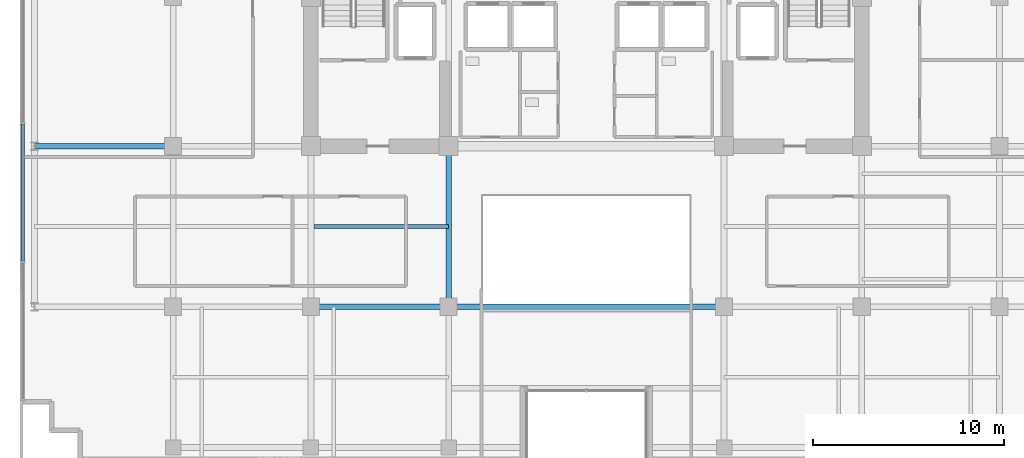
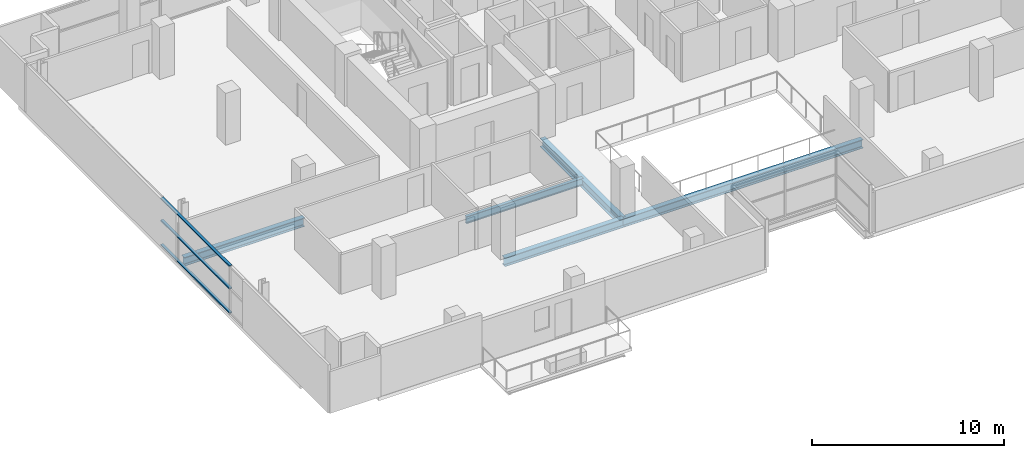
# One storey, part 7 of 25: 5 beams, 3 members, 1 element without a shape of its own.
"""IFC4 building model written with IfcOpenShell, lengths in metres."""

import ifcopenshell
import ifcopenshell.guid

model = None  # the IFC model being written
_history = None  # IfcOwnerHistory: only IFC2X3 demands one
_inside = {}  # id of a spatial element -> (the spatial element, [elements in it])
_under = {}  # id of a project, library or spatial element -> (it, [spatial elements below it])
_declared = {}  # id of a project -> (the project, [libraries it declares])
_typed = {}  # id of a type object -> (the type object, [elements of that type])
_made_of = {}  # id of a material, layer set ... -> (it, [elements and type objects made of it])


def new_model(schema):
    """Start an empty IFC model of exactly this schema.

    Asked for "IFC4X3", IfcOpenShell would pick the latest addendum, in which some entities
    have other attributes; the version numbers below select the first issue.
    IFC2X3 requires an IfcOwnerHistory on every rooted entity: one is made here for all.
    """
    global model, _history
    if schema == "IFC4X3":
        model = ifcopenshell.file(schema_version=(4, 3, 0, 0))
    else:
        model = ifcopenshell.file(schema=schema)
    _inside.clear()
    _under.clear()
    _declared.clear()
    _typed.clear()
    _made_of.clear()
    _history = None
    if model.schema == "IFC2X3":
        org = make("IfcOrganization", Name="unknown")
        user = make(
            "IfcPersonAndOrganization",
            ThePerson=make("IfcPerson", FamilyName="unknown"),
            TheOrganization=org,
        )
        app = make(
            "IfcApplication",
            ApplicationDeveloper=org,
            Version="unknown",
            ApplicationFullName="unknown",
            ApplicationIdentifier="unknown",
        )
        _history = make(
            "IfcOwnerHistory",
            OwningUser=user,
            OwningApplication=app,
            ChangeAction="ADDED",
            CreationDate=0,
        )
    return model


def make(cls, **values):
    """One entity of the class cls with the attributes given. An attribute that is None is left unset."""
    return model.create_entity(
        cls, **{name: value for name, value in values.items() if value is not None}
    )


def rooted(cls, **values):
    """An entity with a GlobalId (a new one), such as an element, a storey or a relation."""
    return make(cls, GlobalId=ifcopenshell.guid.new(), OwnerHistory=_history, **values)


def si_unit(unit_type, name, prefix=None):
    """IfcSIUnit, for example si_unit("LENGTHUNIT", "METRE", prefix="MILLI")."""
    return make("IfcSIUnit", UnitType=unit_type, Prefix=prefix, Name=name)


def assignment(units):
    """IfcUnitAssignment: the units of a project."""
    return None if units is None else make("IfcUnitAssignment", Units=units)


def point(xyz):
    """IfcCartesianPoint."""
    return None if xyz is None else make("IfcCartesianPoint", Coordinates=xyz)


def direction(xyz):
    """IfcDirection."""
    return None if xyz is None else make("IfcDirection", DirectionRatios=xyz)


def frame(location, z_axis=None, x_axis=None):
    """IfcAxis2Placement3D, a coordinate frame: its origin and axes. An axis left out is left unset."""
    return make(
        "IfcAxis2Placement3D",
        Location=point(location),
        Axis=direction(z_axis),
        RefDirection=direction(x_axis),
    )


def frame_2d(location, x_axis=None):
    """IfcAxis2Placement2D, a coordinate frame in the plane: its origin and x axis."""
    return make(
        "IfcAxis2Placement2D", Location=point(location), RefDirection=direction(x_axis)
    )


def origin():
    """The frame at (0, 0, 0) with its axes left unset."""
    return frame((0.0, 0.0, 0.0))


def origin_2d():
    """The frame at (0, 0) in the plane with its x axis left unset."""
    return frame_2d((0.0, 0.0))


def place(relative_to, where):
    """IfcLocalPlacement: puts the frame where relative to a parent placement (None: the world)."""
    return make(
        "IfcLocalPlacement", PlacementRelTo=relative_to, RelativePlacement=where
    )


def context(
    kind, dimensions, precision=None, world=None, true_north=None, identifier=None
):
    """IfcGeometricRepresentationContext, for example the 3D "Model" context."""
    return make(
        "IfcGeometricRepresentationContext",
        ContextIdentifier=identifier,
        ContextType=kind,
        CoordinateSpaceDimension=dimensions,
        Precision=precision,
        WorldCoordinateSystem=world,
        TrueNorth=true_north,
    )


def subcontext(parent, identifier, kind, view, scale=None):
    """IfcGeometricRepresentationSubContext, for example "Body" below "Model"."""
    return make(
        "IfcGeometricRepresentationSubContext",
        ContextIdentifier=identifier,
        ContextType=kind,
        ParentContext=parent,
        TargetScale=scale,
        TargetView=view,
    )


def project(units=None, contexts=None):
    """IfcProject with its units and contexts."""
    return rooted(
        "IfcProject",
        Name="project",
        RepresentationContexts=contexts,
        UnitsInContext=assignment(units),
    )


def spatial(cls, under=None, at=None, **own):
    """A site, building, storey or space (cls), placed at a placement, below another one or the project."""
    s = rooted(cls, ObjectPlacement=at, **own)
    if under is not None:
        _under.setdefault(under.id(), (under, []))[1].append(s)
    return s


def profile(cls, at=None, kind="AREA", **sizes):
    """A parametric profile (cls). Its sizes go by their IFC names, for example OverallWidth=200.0."""
    return make(cls, ProfileType=kind, Position=at, **sizes)


def hollow_rectangle(**sizes):
    """IfcRectangleHollowProfileDef."""
    return profile("IfcRectangleHollowProfileDef", **sizes)


def i_section(**sizes):
    """IfcIShapeProfileDef."""
    return profile("IfcIShapeProfileDef", **sizes)


def extrude(swept, where, along, depth):
    """IfcExtrudedAreaSolid: the profile swept, set in the frame where, extruded along a direction by depth."""
    return make(
        "IfcExtrudedAreaSolid",
        SweptArea=swept,
        Position=where,
        ExtrudedDirection=direction(along),
        Depth=depth,
    )


def shape(context_of_items, identifier, shape_type, items):
    """IfcShapeRepresentation: the items that make up one representation, for example the "Body"."""
    return make(
        "IfcShapeRepresentation",
        ContextOfItems=context_of_items,
        RepresentationIdentifier=identifier,
        RepresentationType=shape_type,
        Items=items,
    )


def source(mapping_origin, context_of_items, identifier, shape_type, items):
    """IfcRepresentationMap: a shape defined once, which mapped items show again and again."""
    return make(
        "IfcRepresentationMap",
        MappingOrigin=mapping_origin,
        MappedRepresentation=shape(context_of_items, identifier, shape_type, items),
    )


def transform(
    local_origin,
    x_axis=None,
    y_axis=None,
    z_axis=None,
    scale=None,
    scale2=None,
    scale3=None,
    uniform=True,
):
    """IfcCartesianTransformationOperator3D, or its non-uniform kind. x_axis, y_axis, z_axis: its Axis1, 2, 3."""
    if uniform:
        return make(
            "IfcCartesianTransformationOperator3D",
            Axis1=direction(x_axis),
            Axis2=direction(y_axis),
            LocalOrigin=point(local_origin),
            Scale=scale,
            Axis3=direction(z_axis),
        )
    return make(
        "IfcCartesianTransformationOperator3DnonUniform",
        Axis1=direction(x_axis),
        Axis2=direction(y_axis),
        LocalOrigin=point(local_origin),
        Scale=scale,
        Axis3=direction(z_axis),
        Scale2=scale2,
        Scale3=scale3,
    )


def mapped(mapping_source, mapping_target):
    """IfcMappedItem: shows the shape of a source again, moved by a transform."""
    return make(
        "IfcMappedItem", MappingSource=mapping_source, MappingTarget=mapping_target
    )


def material(Name=None, Category=None):
    """IfcMaterial."""
    return make("IfcMaterial", Name=Name, Category=Category)


def layer(
    of_material, thickness, ventilated=None, Name=None, Category=None, Priority=None
):
    """IfcMaterialLayer: one layer of a wall or slab, of a material (None: an air gap)."""
    return make(
        "IfcMaterialLayer",
        Material=of_material,
        LayerThickness=thickness,
        IsVentilated=ventilated,
        Name=Name,
        Category=Category,
        Priority=Priority,
    )


def layer_set(layers, Name=None):
    """IfcMaterialLayerSet."""
    return make("IfcMaterialLayerSet", MaterialLayers=layers, LayerSetName=Name)


def material_profile(
    of_material, cross_section, Name=None, Category=None, Priority=None
):
    """IfcMaterialProfile: a cross section and its material."""
    return make(
        "IfcMaterialProfile",
        Name=Name,
        Material=of_material,
        Profile=cross_section,
        Priority=Priority,
        Category=Category,
    )


def profile_set(profiles, Name=None, composite=None):
    """IfcMaterialProfileSet."""
    return make(
        "IfcMaterialProfileSet",
        Name=Name,
        MaterialProfiles=profiles,
        CompositeProfile=composite,
    )


def made_of(thing, what):
    """Note that an element or type object is made of a material, layer set ...; save() writes the relation."""
    if what is not None:
        _made_of.setdefault(what.id(), (what, []))[1].append(thing)
    return thing


def type_object(cls, material=None, **own):
    """A type object (cls), such as IfcWallType, which elements share."""
    return made_of(rooted(cls, **own), material)


def element(
    cls,
    number,
    at=None,
    inside=None,
    cuts=None,
    type_object=None,
    material=None,
    context=None,
    identifier="Body",
    shape_type=None,
    held_by="IfcProductDefinitionShape",
    body=None,
    shapes=None,
    **own,
):
    """One element of the class cls, such as IfcWall. Its Tag is "e" and its number.

    at: its placement. inside: the storey or other place that contains it. cuts: it is an
    opening in that element (IfcRelVoidsElement). A single representation is given by context,
    identifier, shape_type and body (its items); several are given by shapes. held_by: the class
    of the entity that holds the representations. save() writes the other relations.
    """
    e = rooted(cls, Tag="e%d" % number, ObjectPlacement=at, **own)
    if body is not None:
        shapes = [shape(context, identifier, shape_type, body)]
    if shapes is not None:
        e.Representation = make(held_by, Representations=shapes)
    if inside is not None:
        _inside.setdefault(inside.id(), (inside, []))[1].append(e)
    if cuts is not None:
        rooted(
            "IfcRelVoidsElement", RelatingBuildingElement=cuts, RelatedOpeningElement=e
        )
    if type_object is not None:
        _typed.setdefault(type_object.id(), (type_object, []))[1].append(e)
    return made_of(e, material)


def aggregate(whole, parts):
    """IfcRelAggregates: a whole, such as a stair, and the parts it consists of."""
    return rooted("IfcRelAggregates", RelatingObject=whole, RelatedObjects=parts)


def save(model, path):
    """Write the relations noted so far, then the file.

    IfcRelAggregates (storeys below a building ...), IfcRelContainedInSpatialStructure (elements
    in a storey), IfcRelDefinesByType, IfcRelAssociatesMaterial and IfcRelDeclares: one each for
    every whole, place, type object, material and project.
    """
    for whole, parts in _under.values():
        aggregate(whole, parts)
    for where, things in _inside.values():
        rooted(
            "IfcRelContainedInSpatialStructure",
            RelatedElements=things,
            RelatingStructure=where,
        )
    for kind, things in _typed.values():
        rooted("IfcRelDefinesByType", RelatedObjects=things, RelatingType=kind)
    for what, things in _made_of.values():
        rooted("IfcRelAssociatesMaterial", RelatedObjects=things, RelatingMaterial=what)
    for by, libraries in _declared.values():
        rooted("IfcRelDeclares", RelatingContext=by, RelatedDefinitions=libraries)
    model.write(path)


model = new_model("IFC4")

# Units and contexts
model_context = context("Model", 3, precision=1e-05, world=origin(), true_north=direction((0.0, 1.0)))
body_context = subcontext(model_context, "Body", "Model", "MODEL_VIEW")
ifc_project = project(units=[si_unit("LENGTHUNIT", "METRE"), si_unit("AREAUNIT", "SQUARE_METRE"), si_unit("VOLUMEUNIT", "CUBIC_METRE"), si_unit("PLANEANGLEUNIT", "RADIAN"), si_unit("MASSUNIT", "GRAM", prefix="KILO")], contexts=[model_context])

# Site, building, storey
site_placement = place(None, origin())
site = spatial("IfcSite", under=ifc_project, at=site_placement, CompositionType="ELEMENT")
building_placement = place(site_placement, origin())
building = spatial("IfcBuilding", under=site, at=building_placement, Name="Zarnakvel Exchange Tower", CompositionType="ELEMENT")
storey_placement = place(building_placement, frame((0.0, 0.0, 93.39990234375)))
storey = spatial("IfcBuildingStorey", under=building, at=storey_placement, Name="L25", CompositionType="ELEMENT", Elevation=93.39990234375)

# Beams
ifc_material_1 = material(Name="Steel S355", Category="steel")
ifc_material_profile_1 = material_profile(ifc_material_1, i_section(OverallWidth=0.18994140625, OverallDepth=0.449951171875, WebThickness=0.009521484375, FlangeThickness=0.0146484375, FilletRadius=0.02099609375, at=origin_2d()))
ifc_profile_set_1 = profile_set([ifc_material_profile_1], Name="Steel S355")
beam_type_1 = type_object("IfcBeamType", Name="B-05", PredefinedType="JOIST", material=ifc_profile_set_1)
beam_1_placement = place(storey_placement, frame((-14.25, -5.39990234375, -0.449951171875), z_axis=(1.0, 0.0, 0.0), x_axis=(0.0, 1.0, 0.0)))
element("IfcBeam", 1, at=beam_1_placement, inside=storey, type_object=beam_type_1, Name="L25 Composite Floor Secondary Joist", PredefinedType="JOIST", context=body_context, shape_type="SweptSolid", body=[
    extrude(i_section(OverallWidth=0.18994140625, OverallDepth=0.449951171875, WebThickness=0.009521484375, FlangeThickness=0.0146484375, FilletRadius=0.02099609375, at=origin_2d()), origin(), (0.0, 0.0, 1.0), 7.050048828125),
])
ifc_material_profile_2 = material_profile(ifc_material_1, i_section(OverallWidth=0.300048828125, OverallDepth=0.550048828125, WebThickness=0.014892578125, FlangeThickness=0.029052734375, FilletRadius=0.027099609375, at=origin_2d()))
ifc_profile_set_2 = profile_set([ifc_material_profile_2], Name="Steel S355")
beam_type_2 = type_object("IfcBeamType", Name="G-05", PredefinedType="BEAM", material=ifc_profile_set_2)
beam_2_placement = place(storey_placement, frame((-14.39990234375, -9.60009765625, -0.5), z_axis=(1.0, 0.0, 0.0), x_axis=(0.0, 1.0, 0.0)))
element("IfcBeam", 2, at=beam_2_placement, inside=storey, type_object=beam_type_2, Name="L25 Tower E-W Frame Beam", PredefinedType="BEAM", context=body_context, shape_type="SweptSolid", body=[
    extrude(i_section(OverallWidth=0.300048828125, OverallDepth=0.550048828125, WebThickness=0.014892578125, FlangeThickness=0.029052734375, FilletRadius=0.027099609375, at=origin_2d()), origin(), (0.0, 0.0, 1.0), 7.199951171875),
])
beam_3_placement = place(storey_placement, frame((-7.199951171875, -9.60009765625, -0.5), z_axis=(1.0, 0.0, 0.0), x_axis=(0.0, 1.0, 0.0)))
element("IfcBeam", 3, at=beam_3_placement, inside=storey, type_object=beam_type_2, Name="L25 Tower E-W Frame Beam", PredefinedType="BEAM", context=body_context, shape_type="SweptSolid", body=[
    extrude(i_section(OverallWidth=0.300048828125, OverallDepth=0.550048828125, WebThickness=0.014892578125, FlangeThickness=0.029052734375, FilletRadius=0.027099609375, at=origin_2d()), origin(), (0.0, 0.0, 1.0), 14.39990234375),
])
beam_4_placement = place(storey_placement, frame((-28.85009765625, -1.199951171875, -0.5), z_axis=(1.0, 0.0, 0.0), x_axis=(0.0, 1.0, 0.0)))
element("IfcBeam", 4, at=beam_4_placement, inside=storey, type_object=beam_type_2, Name="L25 Tower E-W Frame Beam", PredefinedType="BEAM", context=body_context, shape_type="SweptSolid", body=[
    extrude(i_section(OverallWidth=0.300048828125, OverallDepth=0.550048828125, WebThickness=0.014892578125, FlangeThickness=0.029052734375, FilletRadius=0.027099609375, at=origin_2d()), origin(), (0.0, 0.0, 1.0), 7.25),
])
beam_5_placement = place(storey_placement, frame((-7.199951171875, -9.60009765625, -0.5), z_axis=(0.0, 1.0, 0.0), x_axis=(-1.0, 0.0, 0.0)))
element("IfcBeam", 5, at=beam_5_placement, inside=storey, type_object=beam_type_2, Name="L25 Tower N-S Frame Beam", PredefinedType="BEAM", context=body_context, shape_type="SweptSolid", body=[
    extrude(i_section(OverallWidth=0.300048828125, OverallDepth=0.550048828125, WebThickness=0.014892578125, FlangeThickness=0.029052734375, FilletRadius=0.027099609375, at=origin_2d()), origin(), (0.0, 0.0, 1.0), 8.400146484375),
])

# Curtain wall, members
ifc_material_2 = material(Name="Architectural Bronze Anodised Aluminium", Category="aluminium")
ifc_layer = layer(ifc_material_2, 0.199951171875)
ifc_layer_set = layer_set([ifc_layer], Name="Architectural Bronze Anodised Aluminium")
curtain_wall_type = type_object("IfcCurtainWallType", Name="CW-04", PredefinedType="NOTDEFINED", material=ifc_layer_set)
curtain_wall_placement = place(storey_placement, origin())
curtain_wall = element("IfcCurtainWall", 6, at=curtain_wall_placement, inside=storey, type_object=curtain_wall_type, Name="L25 Curtain Wall CW-L25-W1 (CW-04)", PredefinedType="NOTDEFINED")
ifc_material_profile_3 = material_profile(ifc_material_2, hollow_rectangle(XDim=0.159912109375, YDim=0.074951171875, WallThickness=0.00390625, at=origin_2d()))
ifc_profile_set_3 = profile_set([ifc_material_profile_3], Name="Architectural Bronze Anodised Aluminium")
member_type = type_object("IfcMemberType", Name="CWT-04", PredefinedType="USERDEFINED", material=ifc_profile_set_3)
shared_shape = source(origin(), body_context, "Body", "SweptSolid", [
    extrude(hollow_rectangle(XDim=0.159912109375, YDim=0.074951171875, WallThickness=0.00390625, at=origin_2d()), origin(), (0.0, 0.0, 1.0), 7.1748046875),
])
member_1_placement = place(storey_placement, frame((-29.4599609375, -7.21240234375, 0.03759765625), z_axis=(0.0, 1.0, 0.0), x_axis=(-1.0, 0.0, 0.0)))
member_1 = element("IfcMember", 7, at=member_1_placement, type_object=member_type, Name="CW-04 transom 2.1", ObjectType="TRANSOM", PredefinedType="USERDEFINED", context=body_context, shape_type="MappedRepresentation", body=[
    mapped(shared_shape, transform((0.0, 0.0, 0.0), x_axis=(1.0, 0.0, 0.0), y_axis=(0.0, 1.0, 0.0), z_axis=(0.0, 0.0, 1.0), scale=1.0)),
])
member_2_placement = place(storey_placement, frame((-29.4599609375, -7.21240234375, 1.588623046875), z_axis=(0.0, 1.0, 0.0), x_axis=(-1.0, 0.0, 0.0)))
member_2 = element("IfcMember", 8, at=member_2_placement, type_object=member_type, Name="CW-04 transom 2.2", ObjectType="TRANSOM", PredefinedType="USERDEFINED", context=body_context, shape_type="MappedRepresentation", body=[
    mapped(shared_shape, transform((0.0, 0.0, 0.0), x_axis=(1.0, 0.0, 0.0), y_axis=(0.0, 1.0, 0.0), z_axis=(0.0, 0.0, 1.0), scale=1.0)),
])
member_3_placement = place(storey_placement, frame((-29.4599609375, -7.21240234375, 3.017578125), z_axis=(0.0, 1.0, 0.0), x_axis=(-1.0, 0.0, 0.0)))
member_3 = element("IfcMember", 9, at=member_3_placement, type_object=member_type, Name="CW-04 transom 2.3", ObjectType="TRANSOM", PredefinedType="USERDEFINED", context=body_context, shape_type="MappedRepresentation", body=[
    mapped(shared_shape, transform((0.0, 0.0, 0.0), x_axis=(1.0, 0.0, 0.0), y_axis=(0.0, 1.0, 0.0), z_axis=(0.0, 0.0, 1.0), scale=1.0)),
])
aggregate(curtain_wall, [member_1, member_2, member_3])

save(model, "model.ifc")
